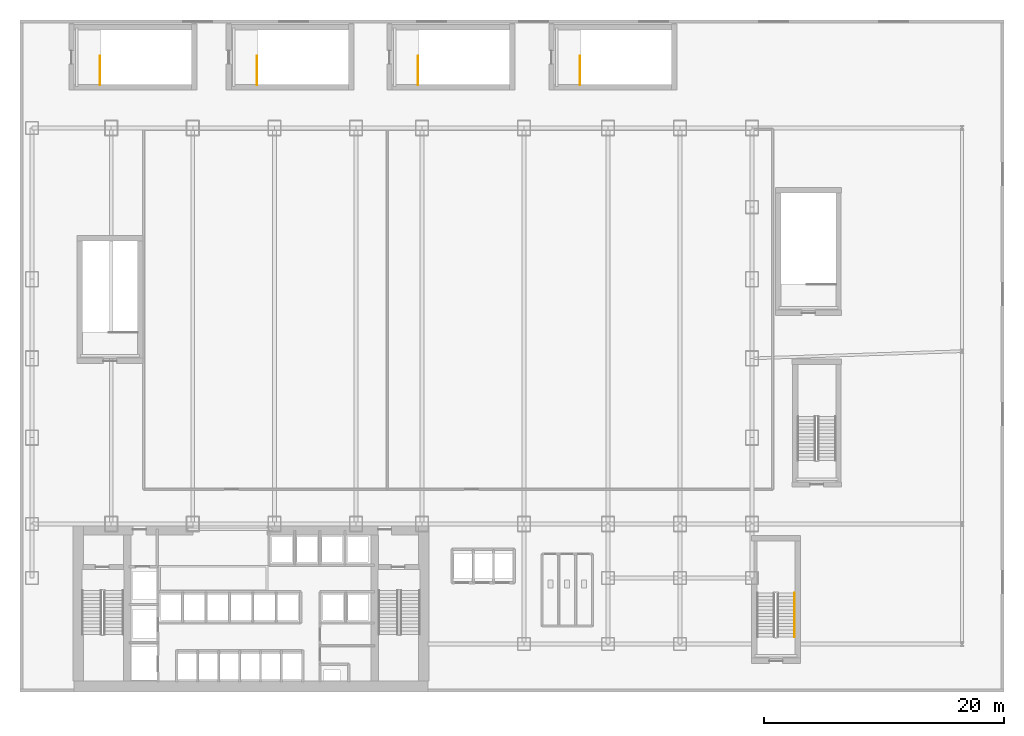
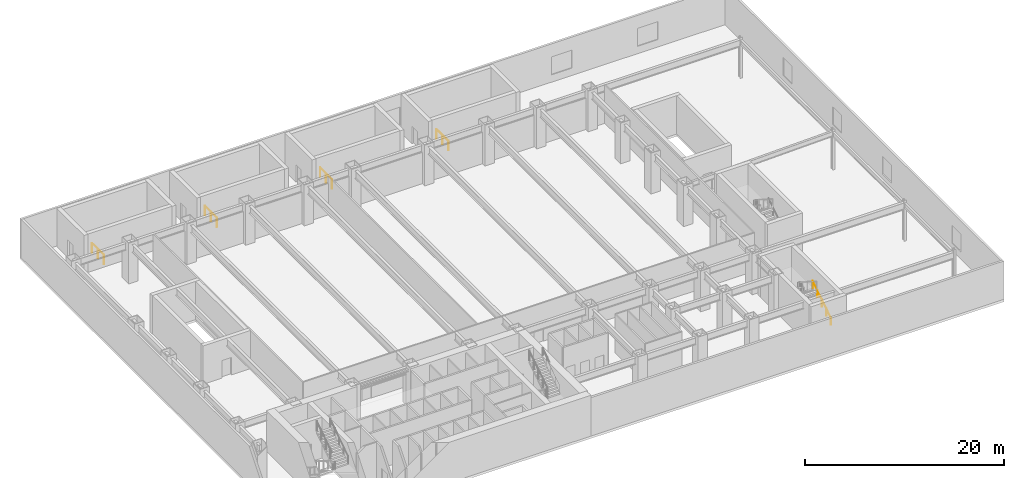
# One storey, part 12 of 14: 5 railings.
"""IFC4 building model written with IfcOpenShell, lengths in metres."""

from ifc_helpers import new_model, si_unit, derived_unit, direction, frame, origin, origin_2d, place, context, subcontext, project, spatial, circle, extrude, material, type_object, element, save


model = new_model("IFC4")

# Units and contexts
model_context = context("Model", 3, precision=1e-05, world=origin(), true_north=direction((0.0, 1.0)))
body_context = subcontext(model_context, "Body", "Model", "MODEL_VIEW")
ifc_project = project(units=[si_unit("LENGTHUNIT", "METRE"), si_unit("AREAUNIT", "SQUARE_METRE"), si_unit("VOLUMEUNIT", "CUBIC_METRE"), si_unit("PLANEANGLEUNIT", "RADIAN"), si_unit("MASSUNIT", "GRAM", prefix="KILO"), derived_unit("THERMALTRANSMITTANCEUNIT", [(si_unit("POWERUNIT", "WATT"), 1), (si_unit("LENGTHUNIT", "METRE"), -2), (si_unit("THERMODYNAMICTEMPERATUREUNIT", "KELVIN"), -1)])], contexts=[model_context])

# Site, building, storey
site_placement = place(None, origin())
site = spatial("IfcSite", under=ifc_project, at=site_placement, CompositionType="ELEMENT")
building_placement = place(site_placement, origin())
building = spatial("IfcBuilding", under=site, at=building_placement, Name="Skarnbrae Concourse Arena and Tower", CompositionType="ELEMENT")
storey_placement = place(building_placement, frame((0.0, 0.0, 21.0)))
storey = spatial("IfcBuildingStorey", under=building, at=storey_placement, Name="L04", CompositionType="ELEMENT", Elevation=21.0)

# Railings
ifc_material = material(Name="Steel CSA G40.21 350W", Category="steel")
railing_type_1 = type_object("IfcRailingType", Name="RAIL-HANDRAIL-900", PredefinedType="HANDRAIL", material=ifc_material)
railing_placement = place(storey_placement, frame((64.550048828125, 4.60009765625, 0.178466796875)))
element("IfcRailing", 1, at=railing_placement, inside=storey, type_object=railing_type_1, Name="L04 ST-A1 stair handrail 1", PredefinedType="HANDRAIL", context=body_context, shape_type="SweptSolid", body=[
    extrude(circle(Radius=0.02392578125, at=origin_2d()), frame((0.0, 0.0, 0.8759765625), z_axis=(0.0, 0.843111507901, 0.53773877045), x_axis=(-1.0, 0.0, 0.0)), (0.0, 0.0, 1.0), 4.317138671875),
    extrude(circle(Radius=0.02099609375, at=origin_2d()), origin(), (0.0, 0.0, 1.0), 0.851806640625),
    extrude(circle(Radius=0.02099609375, at=origin_2d()), frame((0.0, 0.909912109375, 0.580322265625)), (0.0, 0.0, 1.0), 0.851806640625),
    extrude(circle(Radius=0.02099609375, at=origin_2d()), frame((0.0, 1.81982421875, 1.16064453125)), (0.0, 0.0, 1.0), 0.851806640625),
    extrude(circle(Radius=0.02099609375, at=origin_2d()), frame((0.0, 2.72998046875, 1.7412109375)), (0.0, 0.0, 1.0), 0.851806640625),
    extrude(circle(Radius=0.02099609375, at=origin_2d()), frame((0.0, 3.639892578125, 2.321533203125)), (0.0, 0.0, 1.0), 0.851806640625),
])
railing_type_2 = type_object("IfcRailingType", Name="RAIL-STAIR-GUARD-1150", PredefinedType="GUARDRAIL", material=ifc_material)
for number, where, name in (
    (2, (6.64990234375, 50.60009765625, 0.0), "L04 ST-A5 top well guard 1"),
    (3, (19.75, 50.60009765625, 0.0), "L04 ST-A6 top well guard 1"),
    (4, (33.14990234375, 50.60009765625, 0.0), "L04 ST-A7 top well guard 1"),
    (5, (46.64990234375, 50.60009765625, 0.0), "L04 ST-A8 top well guard 1"),
):
    element("IfcRailing", number, at=place(storey_placement, frame(where)), inside=storey, type_object=railing_type_2, Name=name, PredefinedType="GUARDRAIL", context=body_context, shape_type="SweptSolid", body=[
        extrude(circle(Radius=0.02392578125, at=origin_2d()), frame((0.0, 0.0, 1.1259765625), z_axis=(0.0, 1.0, 0.0), x_axis=(-1.0, 0.0, 0.0)), (0.0, 0.0, 1.0), 2.39990234375),
        extrude(circle(Radius=0.02099609375, at=origin_2d()), origin(), (0.0, 0.0, 1.0), 1.101806640625),
        extrude(circle(Radius=0.02099609375, at=origin_2d()), frame((0.0, 1.199951171875, 0.0)), (0.0, 0.0, 1.0), 1.101806640625),
        extrude(circle(Radius=0.02099609375, at=origin_2d()), frame((0.0, 2.39990234375, 0.0)), (0.0, 0.0, 1.0), 1.101806640625),
    ])

save(model, "model.ifc")
